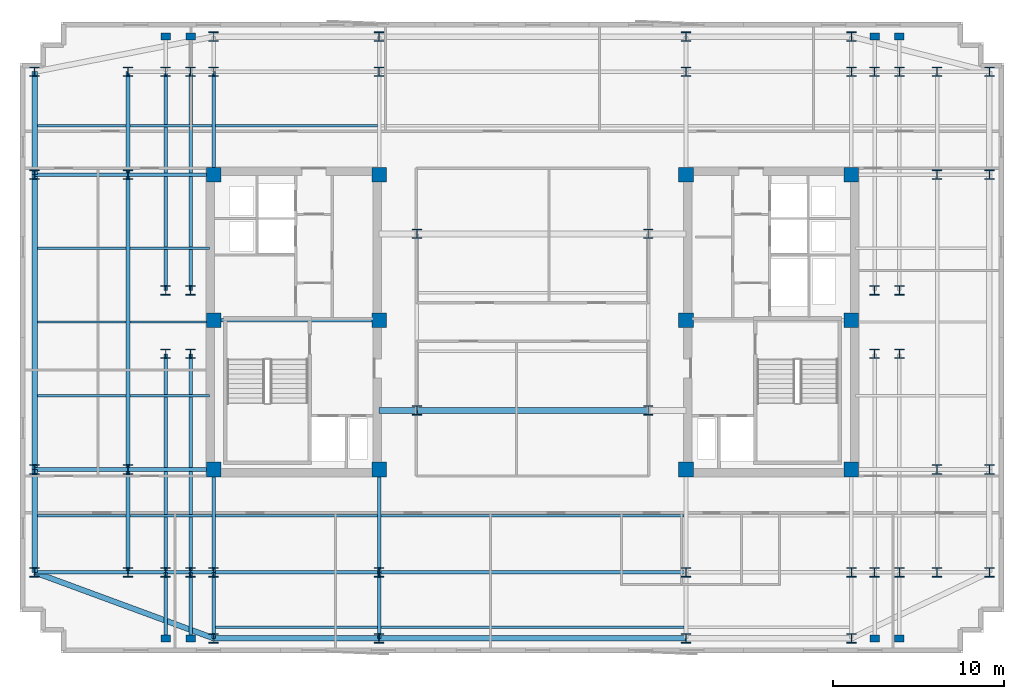
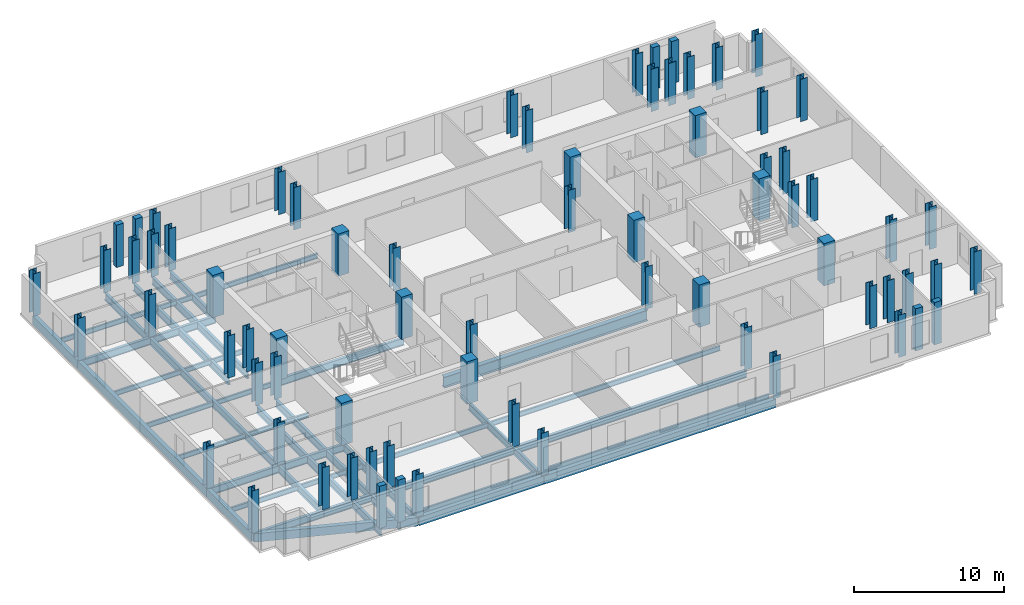
# One storey, part 1 of 9: 72 columns, 46 beams.
"""IFC4 building model written with IfcOpenShell, lengths in metres."""

from ifc_helpers import new_model, si_unit, direction, frame, origin, origin_2d, place, context, subcontext, project, spatial, rectangle, i_section, extrude, material, material_profile, profile_set, type_object, element, save


model = new_model("IFC4")

# Units and contexts
model_context = context("Model", 3, precision=1e-05, world=origin(), true_north=direction((0.0, 1.0)))
body_context = subcontext(model_context, "Body", "Model", "MODEL_VIEW")
ifc_project = project(units=[si_unit("LENGTHUNIT", "METRE"), si_unit("AREAUNIT", "SQUARE_METRE"), si_unit("VOLUMEUNIT", "CUBIC_METRE"), si_unit("PLANEANGLEUNIT", "RADIAN"), si_unit("MASSUNIT", "GRAM", prefix="KILO")], contexts=[model_context])

# Site, building, storey
site_placement = place(None, origin())
site = spatial("IfcSite", under=ifc_project, at=site_placement, CompositionType="ELEMENT")
building_placement = place(site_placement, origin())
building = spatial("IfcBuilding", under=site, at=building_placement, Name="Velakula Bourse", CompositionType="ELEMENT")
storey_placement = place(building_placement, frame((0.0, 0.0, 225.75)))
storey = spatial("IfcBuildingStorey", under=building, at=storey_placement, Name="L61", CompositionType="ELEMENT", Elevation=225.75)

# Columns
ifc_material_1 = material(Name="Concrete M50 (fck 50 MPa)", Category="concrete")
ifc_material_profile_1 = material_profile(ifc_material_1, rectangle(XDim=0.85009765625, YDim=0.85009765625, at=origin_2d()), Name="Concrete M50 (fck 50 MPa)")
ifc_profile_set_1 = profile_set([ifc_material_profile_1], Name="Concrete M50 (fck 50 MPa)")
column_type_1 = type_object("IfcColumnType", Name="COL-RC-850", PredefinedType="COLUMN", material=ifc_profile_set_1)
for number, where, z_axis, x_axis, name in (
    (1, (-8.949951171875, -8.60009765625, 0.0), (0.0, 0.0, 1.0), (1.0, 0.0, 0.0), "L61 Core Boundary Column 01"),
    (2, (-8.949951171875, 0.10009765625, 0.0), (0.0, 0.0, 1.0), (1.0, 0.0, 0.0), "L61 Core Boundary Column 02"),
    (3, (-8.949951171875, 8.60009765625, 0.0), (0.0, 0.0, 1.0), (1.0, 0.0, 0.0), "L61 Core Boundary Column 03"),
    (4, (-18.60009765625, -8.60009765625, 0.0), (0.0, 0.0, 1.0), (1.0, 0.0, 0.0), "L61 Core Boundary Column 04"),
    (5, (-18.60009765625, 0.10009765625, 0.0), (0.0, 0.0, 1.0), (1.0, 0.0, 0.0), "L61 Core Boundary Column 05"),
    (6, (-18.60009765625, 8.60009765625, 0.0), (0.0, 0.0, 1.0), (1.0, 0.0, 0.0), "L61 Core Boundary Column 06"),
    (7, (8.949951171875, -8.60009765625, 0.0), (0.0, 0.0, 1.0), (1.0, 0.0, 0.0), "L61 Core Boundary Column 07"),
    (8, (8.949951171875, 0.10009765625, 0.0), (0.0, 0.0, 1.0), (1.0, 0.0, 0.0), "L61 Core Boundary Column 08"),
    (9, (8.949951171875, 8.60009765625, 0.0), (0.0, 0.0, 1.0), (1.0, 0.0, 0.0), "L61 Core Boundary Column 09"),
    (10, (18.60009765625, -8.60009765625, 0.0), (0.0, 0.0, 1.0), (1.0, 0.0, 0.0), "L61 Core Boundary Column 10"),
    (11, (18.60009765625, 0.10009765625, 0.0), (0.0, 0.0, 1.0), (1.0, 0.0, 0.0), "L61 Core Boundary Column 11"),
    (12, (18.60009765625, 8.60009765625, 0.0), (0.0, 0.0, 1.0), (1.0, 0.0, 0.0), "L61 Core Boundary Column 12"),
):
    element("IfcColumn", number, at=place(storey_placement, frame(where, z_axis=z_axis, x_axis=x_axis)), inside=storey, type_object=column_type_1, Name=name, PredefinedType="COLUMN", context=body_context, shape_type="SweptSolid", body=[
        extrude(rectangle(XDim=0.85009765625, YDim=0.85009765625, at=origin_2d()), origin(), (0.0, 0.0, 1.0), 3.449951171875),
    ])
ifc_material_2 = material(Name="Steel IS 2062 Grade 350 (E350)", Category="steel")
ifc_material_profile_2 = material_profile(ifc_material_2, i_section(OverallWidth=0.550048828125, OverallDepth=0.550048828125, WebThickness=0.02392578125, FlangeThickness=0.035888671875, at=origin_2d()), Name="Steel IS 2062 Grade 350 (E350)")
ifc_profile_set_2 = profile_set([ifc_material_profile_2], Name="Steel IS 2062 Grade 350 (E350)")
column_type_2 = type_object("IfcColumnType", Name="COL-STL-550", PredefinedType="COLUMN", material=ifc_profile_set_2)
for number, where, z_axis, x_axis, name in (
    (13, (-6.75, -5.14990234375, 0.0), (0.0, 0.0, 1.0), (1.0, 0.0, 0.0), "L61 Central Spine Column 01"),
    (14, (-6.75, 5.14990234375, 0.0), (0.0, 0.0, 1.0), (1.0, 0.0, 0.0), "L61 Central Spine Column 02"),
    (15, (6.75, -5.14990234375, 0.0), (0.0, 0.0, 1.0), (1.0, 0.0, 0.0), "L61 Central Spine Column 03"),
    (16, (6.75, 5.14990234375, 0.0), (0.0, 0.0, 1.0), (1.0, 0.0, 0.0), "L61 Central Spine Column 04"),
    (17, (-21.39990234375, -14.60009765625, 0.0), (0.0, 0.0, 1.0), (1.0, 0.0, 0.0), "L61 Tower Fulcrum Column 01"),
    (18, (-21.39990234375, 14.60009765625, 0.0), (0.0, 0.0, 1.0), (1.0, 0.0, 0.0), "L61 Tower Fulcrum Column 02"),
    (19, (-19.949951171875, -14.60009765625, 0.0), (0.0, 0.0, 1.0), (1.0, 0.0, 0.0), "L61 Tower Fulcrum Column 03"),
    (20, (-19.949951171875, 14.60009765625, 0.0), (0.0, 0.0, 1.0), (1.0, 0.0, 0.0), "L61 Tower Fulcrum Column 04"),
    (21, (-18.60009765625, -14.60009765625, 0.0), (0.0, 0.0, 1.0), (1.0, 0.0, 0.0), "L61 Tower Fulcrum Column 05"),
    (22, (-18.60009765625, 14.60009765625, 0.0), (0.0, 0.0, 1.0), (1.0, 0.0, 0.0), "L61 Tower Fulcrum Column 06"),
    (23, (-8.949951171875, -14.60009765625, 0.0), (0.0, 0.0, 1.0), (1.0, 0.0, 0.0), "L61 Tower Fulcrum Column 07"),
    (24, (-8.949951171875, 14.60009765625, 0.0), (0.0, 0.0, 1.0), (1.0, 0.0, 0.0), "L61 Tower Fulcrum Column 08"),
    (25, (8.949951171875, -14.60009765625, 0.0), (0.0, 0.0, 1.0), (1.0, 0.0, 0.0), "L61 Tower Fulcrum Column 09"),
    (26, (8.949951171875, 14.60009765625, 0.0), (0.0, 0.0, 1.0), (1.0, 0.0, 0.0), "L61 Tower Fulcrum Column 10"),
    (27, (18.60009765625, -14.60009765625, 0.0), (0.0, 0.0, 1.0), (1.0, 0.0, 0.0), "L61 Tower Fulcrum Column 11"),
    (28, (18.60009765625, 14.60009765625, 0.0), (0.0, 0.0, 1.0), (1.0, 0.0, 0.0), "L61 Tower Fulcrum Column 12"),
    (29, (19.949951171875, -14.60009765625, 0.0), (0.0, 0.0, 1.0), (1.0, 0.0, 0.0), "L61 Tower Fulcrum Column 13"),
    (30, (19.949951171875, 14.60009765625, 0.0), (0.0, 0.0, 1.0), (1.0, 0.0, 0.0), "L61 Tower Fulcrum Column 14"),
    (31, (21.39990234375, -14.60009765625, 0.0), (0.0, 0.0, 1.0), (1.0, 0.0, 0.0), "L61 Tower Fulcrum Column 15"),
    (32, (21.39990234375, 14.60009765625, 0.0), (0.0, 0.0, 1.0), (1.0, 0.0, 0.0), "L61 Tower Fulcrum Column 16"),
    (33, (-21.39990234375, -1.85009765625, 0.0), (0.0, 0.0, 1.0), (1.0, 0.0, 0.0), "L61 Tower Fulcrum Column 17"),
    (34, (-21.39990234375, 1.85009765625, 0.0), (0.0, 0.0, 1.0), (1.0, 0.0, 0.0), "L61 Tower Fulcrum Column 18"),
    (35, (-19.949951171875, -1.85009765625, 0.0), (0.0, 0.0, 1.0), (1.0, 0.0, 0.0), "L61 Tower Fulcrum Column 19"),
    (36, (-19.949951171875, 1.85009765625, 0.0), (0.0, 0.0, 1.0), (1.0, 0.0, 0.0), "L61 Tower Fulcrum Column 20"),
    (37, (19.949951171875, -1.85009765625, 0.0), (0.0, 0.0, 1.0), (1.0, 0.0, 0.0), "L61 Tower Fulcrum Column 21"),
    (38, (19.949951171875, 1.85009765625, 0.0), (0.0, 0.0, 1.0), (1.0, 0.0, 0.0), "L61 Tower Fulcrum Column 22"),
    (39, (21.39990234375, -1.85009765625, 0.0), (0.0, 0.0, 1.0), (1.0, 0.0, 0.0), "L61 Tower Fulcrum Column 23"),
    (40, (21.39990234375, 1.85009765625, 0.0), (0.0, 0.0, 1.0), (1.0, 0.0, 0.0), "L61 Tower Fulcrum Column 24"),
    (41, (-23.60009765625, -14.60009765625, 0.0), (0.0, 0.0, 1.0), (1.0, 0.0, 0.0), "L61 Mid-Wing Plumb Column 01"),
    (42, (-23.60009765625, -8.60009765625, 0.0), (0.0, 0.0, 1.0), (1.0, 0.0, 0.0), "L61 Mid-Wing Plumb Column 02"),
    (43, (-23.60009765625, 8.60009765625, 0.0), (0.0, 0.0, 1.0), (1.0, 0.0, 0.0), "L61 Mid-Wing Plumb Column 03"),
    (44, (-23.60009765625, 14.60009765625, 0.0), (0.0, 0.0, 1.0), (1.0, 0.0, 0.0), "L61 Mid-Wing Plumb Column 04"),
    (45, (23.60009765625, -14.60009765625, 0.0), (0.0, 0.0, 1.0), (1.0, 0.0, 0.0), "L61 Mid-Wing Plumb Column 05"),
    (46, (23.60009765625, -8.60009765625, 0.0), (0.0, 0.0, 1.0), (1.0, 0.0, 0.0), "L61 Mid-Wing Plumb Column 06"),
    (47, (23.60009765625, 8.60009765625, 0.0), (0.0, 0.0, 1.0), (1.0, 0.0, 0.0), "L61 Mid-Wing Plumb Column 07"),
    (48, (23.60009765625, 14.60009765625, 0.0), (0.0, 0.0, 1.0), (1.0, 0.0, 0.0), "L61 Mid-Wing Plumb Column 08"),
    (49, (-18.60009765625, -18.449951171875, 0.0), (0.0, 0.0, 1.0), (1.0, 0.0, 0.0), "L61 Block B5 Perimeter Column S1"),
    (50, (-8.949951171875, -18.449951171875, 0.0), (0.0, 0.0, 1.0), (1.0, 0.0, 0.0), "L61 Block B5 Perimeter Column S2"),
    (51, (8.949951171875, -18.449951171875, 0.0), (0.0, 0.0, 1.0), (1.0, 0.0, 0.0), "L61 Block B5 Perimeter Column S3"),
    (52, (18.60009765625, -18.449951171875, 0.0), (0.0, 0.0, 1.0), (1.0, 0.0, 0.0), "L61 Block B5 Perimeter Column S4"),
    (53, (-18.60009765625, 16.64990234375, 0.0), (0.0, 0.0, 1.0), (1.0, 0.0, 0.0), "L61 Block B5 Perimeter Column N1"),
    (54, (-8.949951171875, 16.64990234375, 0.0), (0.0, 0.0, 1.0), (1.0, 0.0, 0.0), "L61 Block B5 Perimeter Column N2"),
    (55, (8.949951171875, 16.64990234375, 0.0), (0.0, 0.0, 1.0), (1.0, 0.0, 0.0), "L61 Block B5 Perimeter Column N3"),
    (56, (18.60009765625, 16.64990234375, 0.0), (0.0, 0.0, 1.0), (1.0, 0.0, 0.0), "L61 Block B5 Perimeter Column N4"),
    (57, (-29.050048828125, -14.60009765625, 0.0), (0.0, 0.0, 1.0), (1.0, 0.0, 0.0), "L61 Block B5 Perimeter Column W1"),
    (58, (-29.050048828125, -8.60009765625, 0.0), (0.0, 0.0, 1.0), (1.0, 0.0, 0.0), "L61 Block B5 Perimeter Column W2"),
    (59, (-29.050048828125, 8.60009765625, 0.0), (0.0, 0.0, 1.0), (1.0, 0.0, 0.0), "L61 Block B5 Perimeter Column W3"),
    (60, (-29.050048828125, 14.60009765625, 0.0), (0.0, 0.0, 1.0), (1.0, 0.0, 0.0), "L61 Block B5 Perimeter Column W4"),
    (61, (26.64990234375, -14.60009765625, 0.0), (0.0, 0.0, 1.0), (1.0, 0.0, 0.0), "L61 Block B5 Perimeter Column E1"),
    (62, (26.64990234375, -8.60009765625, 0.0), (0.0, 0.0, 1.0), (1.0, 0.0, 0.0), "L61 Block B5 Perimeter Column E2"),
    (63, (26.64990234375, 8.60009765625, 0.0), (0.0, 0.0, 1.0), (1.0, 0.0, 0.0), "L61 Block B5 Perimeter Column E3"),
    (64, (26.64990234375, 14.60009765625, 0.0), (0.0, 0.0, 1.0), (1.0, 0.0, 0.0), "L61 Block B5 Perimeter Column E4"),
):
    element("IfcColumn", number, at=place(storey_placement, frame(where, z_axis=z_axis, x_axis=x_axis)), inside=storey, type_object=column_type_2, Name=name, PredefinedType="COLUMN", context=body_context, shape_type="SweptSolid", body=[
        extrude(i_section(OverallWidth=0.550048828125, OverallDepth=0.550048828125, WebThickness=0.02392578125, FlangeThickness=0.035888671875, at=origin_2d()), origin(), (0.0, 0.0, 1.0), 3.449951171875),
    ])
ifc_material_3 = material(Name="Precast concrete M45 (fck 45 MPa)", Category="concrete")
ifc_material_profile_3 = material_profile(ifc_material_3, rectangle(XDim=0.550048828125, YDim=0.39990234375, at=origin_2d()), Name="Precast concrete M45 (fck 45 MPa)")
ifc_profile_set_3 = profile_set([ifc_material_profile_3], Name="Precast concrete M45 (fck 45 MPa)")
column_type_3 = type_object("IfcColumnType", Name="PIL-BRICK-550", PredefinedType="PILASTER", material=ifc_profile_set_3)
for number, where, z_axis, x_axis, name in (
    (65, (-21.39990234375, -18.449951171875, 0.0), (0.0, 0.0, 1.0), (1.0, 0.0, 0.0), "L61 Brick Pier Pilaster 01"),
    (66, (-19.949951171875, -18.449951171875, 0.0), (0.0, 0.0, 1.0), (1.0, 0.0, 0.0), "L61 Brick Pier Pilaster 02"),
    (67, (19.949951171875, -18.449951171875, 0.0), (0.0, 0.0, 1.0), (1.0, 0.0, 0.0), "L61 Brick Pier Pilaster 03"),
    (68, (21.39990234375, -18.449951171875, 0.0), (0.0, 0.0, 1.0), (1.0, 0.0, 0.0), "L61 Brick Pier Pilaster 04"),
    (69, (-21.39990234375, 16.64990234375, 0.0), (0.0, 0.0, 1.0), (1.0, 0.0, 0.0), "L61 Brick Pier Pilaster 05"),
    (70, (-19.949951171875, 16.64990234375, 0.0), (0.0, 0.0, 1.0), (1.0, 0.0, 0.0), "L61 Brick Pier Pilaster 06"),
    (71, (19.949951171875, 16.64990234375, 0.0), (0.0, 0.0, 1.0), (1.0, 0.0, 0.0), "L61 Brick Pier Pilaster 07"),
    (72, (21.39990234375, 16.64990234375, 0.0), (0.0, 0.0, 1.0), (1.0, 0.0, 0.0), "L61 Brick Pier Pilaster 08"),
):
    element("IfcColumn", number, at=place(storey_placement, frame(where, z_axis=z_axis, x_axis=x_axis)), inside=storey, type_object=column_type_3, Name=name, PredefinedType="PILASTER", context=body_context, shape_type="SweptSolid", body=[
        extrude(rectangle(XDim=0.550048828125, YDim=0.39990234375, at=origin_2d()), origin(), (0.0, 0.0, 1.0), 3.449951171875),
    ])

# Beams
ifc_material_profile_4 = material_profile(ifc_material_2, i_section(OverallWidth=0.2099609375, OverallDepth=0.60009765625, WebThickness=0.011962890625, FlangeThickness=0.020751953125, at=origin_2d()), Name="Steel IS 2062 Grade 350 (E350)")
ifc_profile_set_4 = profile_set([ifc_material_profile_4], Name="Steel IS 2062 Grade 350 (E350)")
beam_type_1 = type_object("IfcBeamType", Name="BM-GRD-600L", PredefinedType="BEAM", material=ifc_profile_set_4)
beam_1_placement = place(storey_placement, frame((-18.60009765625, 0.10009765625, -0.47998046875), z_axis=(1.0, 0.0, 0.0), x_axis=(0.0, 1.0, 0.0)))
element("IfcBeam", 73, at=beam_1_placement, inside=storey, type_object=beam_type_1, Name="L61 Primary Backbone Girder CRW-M", PredefinedType="BEAM", context=body_context, shape_type="SweptSolid", body=[
    extrude(i_section(OverallWidth=0.2099609375, OverallDepth=0.60009765625, WebThickness=0.011962890625, FlangeThickness=0.020751953125, at=origin_2d()), origin(), (0.0, 0.0, 1.0), 9.650146484375),
])
for number, where, z_axis, x_axis, name in (
    (74, (-18.60009765625, -14.60009765625, -0.47998046875), (0.0, 1.0, 0.0), (-1.0, 0.0, 0.0), "L61 Fulcrum Grid Girder FLC-WS"),
    (75, (-18.60009765625, 8.60009765625, -0.47998046875), (0.0, 1.0, 0.0), (-1.0, 0.0, 0.0), "L61 Fulcrum Grid Girder FLC-WN"),
    (76, (-8.949951171875, -14.60009765625, -0.47998046875), (0.0, 1.0, 0.0), (-1.0, 0.0, 0.0), "L61 Fulcrum Grid Girder FLC-WCS"),
):
    element("IfcBeam", number, at=place(storey_placement, frame(where, z_axis=z_axis, x_axis=x_axis)), inside=storey, type_object=beam_type_1, Name=name, PredefinedType="BEAM", context=body_context, shape_type="SweptSolid", body=[
        extrude(i_section(OverallWidth=0.2099609375, OverallDepth=0.60009765625, WebThickness=0.011962890625, FlangeThickness=0.020751953125, at=origin_2d()), origin(), (0.0, 0.0, 1.0), 6.0),
    ])
beam_2_placement = place(storey_placement, frame((-18.60009765625, -14.60009765625, -0.47998046875), z_axis=(1.0, 0.0, 0.0), x_axis=(0.0, 1.0, 0.0)))
element("IfcBeam", 77, at=beam_2_placement, inside=storey, type_object=beam_type_1, Name="L61 Fulcrum Grid Girder FLC-S1", PredefinedType="BEAM", context=body_context, shape_type="SweptSolid", body=[
    extrude(i_section(OverallWidth=0.2099609375, OverallDepth=0.60009765625, WebThickness=0.011962890625, FlangeThickness=0.020751953125, at=origin_2d()), origin(), (0.0, 0.0, 1.0), 9.650146484375),
])
beam_3_placement = place(storey_placement, frame((-8.949951171875, -14.60009765625, -0.47998046875), z_axis=(1.0, 0.0, 0.0), x_axis=(0.0, 1.0, 0.0)))
element("IfcBeam", 78, at=beam_3_placement, inside=storey, type_object=beam_type_1, Name="L61 Fulcrum Grid Girder FLC-S2", PredefinedType="BEAM", context=body_context, shape_type="SweptSolid", body=[
    extrude(i_section(OverallWidth=0.2099609375, OverallDepth=0.60009765625, WebThickness=0.011962890625, FlangeThickness=0.020751953125, at=origin_2d()), origin(), (0.0, 0.0, 1.0), 17.89990234375),
])
for number, where, z_axis, x_axis, name in (
    (79, (-21.39990234375, -14.60009765625, -0.47998046875), (0.0, 1.0, 0.0), (-1.0, 0.0, 0.0), "L61 Fulcrum Grid Girder FLC-PSW1"),
    (80, (-21.39990234375, 1.85009765625, -0.47998046875), (0.0, 1.0, 0.0), (-1.0, 0.0, 0.0), "L61 Fulcrum Grid Girder FLC-PNW1"),
    (81, (-19.949951171875, -14.60009765625, -0.47998046875), (0.0, 1.0, 0.0), (-1.0, 0.0, 0.0), "L61 Fulcrum Grid Girder FLC-PSW2"),
    (82, (-19.949951171875, 1.85009765625, -0.47998046875), (0.0, 1.0, 0.0), (-1.0, 0.0, 0.0), "L61 Fulcrum Grid Girder FLC-PNW2"),
):
    element("IfcBeam", number, at=place(storey_placement, frame(where, z_axis=z_axis, x_axis=x_axis)), inside=storey, type_object=beam_type_1, Name=name, PredefinedType="BEAM", context=body_context, shape_type="SweptSolid", body=[
        extrude(i_section(OverallWidth=0.2099609375, OverallDepth=0.60009765625, WebThickness=0.011962890625, FlangeThickness=0.020751953125, at=origin_2d()), origin(), (0.0, 0.0, 1.0), 12.75),
    ])
for number, where, z_axis, x_axis, name in (
    (83, (-23.60009765625, -14.60009765625, -0.47998046875), (1.0, 0.0, 0.0), (0.0, 1.0, 0.0), "L61 Fulcrum Grid Girder MWG-WS1"),
    (84, (-23.60009765625, -8.60009765625, -0.47998046875), (1.0, 0.0, 0.0), (0.0, 1.0, 0.0), "L61 Fulcrum Grid Girder MWG-WS2"),
    (85, (-23.60009765625, 8.60009765625, -0.47998046875), (1.0, 0.0, 0.0), (0.0, 1.0, 0.0), "L61 Fulcrum Grid Girder MWG-WN1"),
):
    element("IfcBeam", number, at=place(storey_placement, frame(where, z_axis=z_axis, x_axis=x_axis)), inside=storey, type_object=beam_type_1, Name=name, PredefinedType="BEAM", context=body_context, shape_type="SweptSolid", body=[
        extrude(i_section(OverallWidth=0.2099609375, OverallDepth=0.60009765625, WebThickness=0.011962890625, FlangeThickness=0.020751953125, at=origin_2d()), origin(), (0.0, 0.0, 1.0), 5.0),
    ])
beam_4_placement = place(storey_placement, frame((-23.60009765625, -14.60009765625, -0.47998046875), z_axis=(0.0, 1.0, 0.0), x_axis=(-1.0, 0.0, 0.0)))
element("IfcBeam", 86, at=beam_4_placement, inside=storey, type_object=beam_type_1, Name="L61 Fulcrum Grid Girder MWG-WNS1", PredefinedType="BEAM", context=body_context, shape_type="SweptSolid", body=[
    extrude(i_section(OverallWidth=0.2099609375, OverallDepth=0.60009765625, WebThickness=0.011962890625, FlangeThickness=0.020751953125, at=origin_2d()), origin(), (0.0, 0.0, 1.0), 6.0),
])
beam_5_placement = place(storey_placement, frame((-23.60009765625, -8.60009765625, -0.47998046875), z_axis=(0.0, 1.0, 0.0), x_axis=(-1.0, 0.0, 0.0)))
element("IfcBeam", 87, at=beam_5_placement, inside=storey, type_object=beam_type_1, Name="L61 Fulcrum Grid Girder MWG-WNS2", PredefinedType="BEAM", context=body_context, shape_type="SweptSolid", body=[
    extrude(i_section(OverallWidth=0.2099609375, OverallDepth=0.60009765625, WebThickness=0.011962890625, FlangeThickness=0.020751953125, at=origin_2d()), origin(), (0.0, 0.0, 1.0), 17.2001953125),
])
beam_6_placement = place(storey_placement, frame((-23.60009765625, 8.60009765625, -0.47998046875), z_axis=(0.0, 1.0, 0.0), x_axis=(-1.0, 0.0, 0.0)))
element("IfcBeam", 88, at=beam_6_placement, inside=storey, type_object=beam_type_1, Name="L61 Fulcrum Grid Girder MWG-WNS3", PredefinedType="BEAM", context=body_context, shape_type="SweptSolid", body=[
    extrude(i_section(OverallWidth=0.2099609375, OverallDepth=0.60009765625, WebThickness=0.011962890625, FlangeThickness=0.020751953125, at=origin_2d()), origin(), (0.0, 0.0, 1.0), 6.0),
])
for number, where, z_axis, x_axis, name in (
    (89, (-18.60009765625, -14.60009765625, -0.47998046875), (0.0, -1.0, 0.0), (1.0, 0.0, 0.0), "L61 Perimeter Tie Girder S1"),
    (90, (-8.949951171875, -14.60009765625, -0.47998046875), (0.0, -1.0, 0.0), (1.0, 0.0, 0.0), "L61 Perimeter Tie Girder S2"),
):
    element("IfcBeam", number, at=place(storey_placement, frame(where, z_axis=z_axis, x_axis=x_axis)), inside=storey, type_object=beam_type_1, Name=name, PredefinedType="BEAM", context=body_context, shape_type="SweptSolid", body=[
        extrude(i_section(OverallWidth=0.2099609375, OverallDepth=0.60009765625, WebThickness=0.011962890625, FlangeThickness=0.020751953125, at=origin_2d()), origin(), (0.0, 0.0, 1.0), 3.849853515625),
    ])
for number, where, z_axis, x_axis, name in (
    (91, (-23.60009765625, -14.60009765625, -0.47998046875), (-1.0, 0.0, 0.0), (0.0, -1.0, 0.0), "L61 Perimeter Tie Girder W1"),
    (92, (-23.60009765625, -8.60009765625, -0.47998046875), (-1.0, 0.0, 0.0), (0.0, -1.0, 0.0), "L61 Perimeter Tie Girder W2"),
    (93, (-23.60009765625, 8.60009765625, -0.47998046875), (-1.0, 0.0, 0.0), (0.0, -1.0, 0.0), "L61 Perimeter Tie Girder W3"),
):
    element("IfcBeam", number, at=place(storey_placement, frame(where, z_axis=z_axis, x_axis=x_axis)), inside=storey, type_object=beam_type_1, Name=name, PredefinedType="BEAM", context=body_context, shape_type="SweptSolid", body=[
        extrude(i_section(OverallWidth=0.2099609375, OverallDepth=0.60009765625, WebThickness=0.011962890625, FlangeThickness=0.020751953125, at=origin_2d()), origin(), (0.0, 0.0, 1.0), 5.449951171875),
    ])
for number, where, z_axis, x_axis, name in (
    (94, (-21.39990234375, -14.60009765625, -0.47998046875), (0.0, -1.0, 0.0), (1.0, 0.0, 0.0), "L61 Perimeter Tie Girder P01"),
    (95, (-19.949951171875, -14.60009765625, -0.47998046875), (0.0, -1.0, 0.0), (1.0, 0.0, 0.0), "L61 Perimeter Tie Girder P02"),
):
    element("IfcBeam", number, at=place(storey_placement, frame(where, z_axis=z_axis, x_axis=x_axis)), inside=storey, type_object=beam_type_1, Name=name, PredefinedType="BEAM", context=body_context, shape_type="SweptSolid", body=[
        extrude(i_section(OverallWidth=0.2099609375, OverallDepth=0.60009765625, WebThickness=0.011962890625, FlangeThickness=0.020751953125, at=origin_2d()), origin(), (0.0, 0.0, 1.0), 3.849853515625),
    ])
ifc_material_profile_5 = material_profile(ifc_material_2, i_section(OverallWidth=0.35009765625, OverallDepth=0.89990234375, WebThickness=0.02001953125, FlangeThickness=0.031982421875, at=origin_2d()), Name="Steel IS 2062 Grade 350 (E350)")
ifc_profile_set_5 = profile_set([ifc_material_profile_5], Name="Steel IS 2062 Grade 350 (E350)")
beam_type_2 = type_object("IfcBeamType", Name="BM-LNK-900", PredefinedType="BEAM", material=ifc_profile_set_5)
beam_7_placement = place(storey_placement, frame((-8.949951171875, -5.14990234375, -0.6298828125), z_axis=(1.0, 0.0, 0.0), x_axis=(0.0, 1.0, 0.0)))
element("IfcBeam", 96, at=beam_7_placement, inside=storey, type_object=beam_type_2, Name="L61 Primary Backbone Girder LNK-S1", PredefinedType="BEAM", context=body_context, shape_type="SweptSolid", body=[
    extrude(i_section(OverallWidth=0.35009765625, OverallDepth=0.89990234375, WebThickness=0.02001953125, FlangeThickness=0.031982421875, at=origin_2d()), origin(), (0.0, 0.0, 1.0), 2.199951171875),
])
beam_8_placement = place(storey_placement, frame((-6.75, -5.14990234375, -0.6298828125), z_axis=(1.0, 0.0, 0.0), x_axis=(0.0, 1.0, 0.0)))
element("IfcBeam", 97, at=beam_8_placement, inside=storey, type_object=beam_type_2, Name="L61 Primary Backbone Girder LNK-S2", PredefinedType="BEAM", context=body_context, shape_type="SweptSolid", body=[
    extrude(i_section(OverallWidth=0.35009765625, OverallDepth=0.89990234375, WebThickness=0.02001953125, FlangeThickness=0.031982421875, at=origin_2d()), origin(), (0.0, 0.0, 1.0), 13.5),
])
ifc_material_profile_6 = material_profile(ifc_material_2, i_section(OverallWidth=0.139892578125, OverallDepth=0.39990234375, WebThickness=0.0087890625, FlangeThickness=0.01611328125, at=origin_2d()), Name="Steel IS 2062 Grade 350 (E350)")
ifc_profile_set_6 = profile_set([ifc_material_profile_6], Name="Steel IS 2062 Grade 350 (E350)")
beam_type_3 = type_object("IfcBeamType", Name="JST-TWR-400", PredefinedType="JOIST", material=ifc_profile_set_6)
beam_9_placement = place(storey_placement, frame((-18.4951171875, -17.800048828125, -0.3798828125), z_axis=(1.0, 0.0, 0.0), x_axis=(0.0, 1.0, 0.0)))
element("IfcBeam", 98, at=beam_9_placement, inside=storey, type_object=beam_type_3, Name="L61 Trading Floor Composite Joist 01", PredefinedType="JOIST", context=body_context, shape_type="SweptSolid", body=[
    extrude(i_section(OverallWidth=0.139892578125, OverallDepth=0.39990234375, WebThickness=0.0087890625, FlangeThickness=0.01611328125, at=origin_2d()), origin(), (0.0, 0.0, 1.0), 9.440185546875),
])
beam_10_placement = place(storey_placement, frame((-8.844970703125, -17.800048828125, -0.3798828125), z_axis=(1.0, 0.0, 0.0), x_axis=(0.0, 1.0, 0.0)))
element("IfcBeam", 99, at=beam_10_placement, inside=storey, type_object=beam_type_3, Name="L61 Trading Floor Composite Joist 02", PredefinedType="JOIST", context=body_context, shape_type="SweptSolid", body=[
    extrude(i_section(OverallWidth=0.139892578125, OverallDepth=0.39990234375, WebThickness=0.0087890625, FlangeThickness=0.01611328125, at=origin_2d()), origin(), (0.0, 0.0, 1.0), 17.68994140625),
])
beam_11_placement = place(storey_placement, frame((-28.889892578125, -11.300048828125, -0.3798828125), z_axis=(1.0, 0.0, 0.0), x_axis=(0.0, 1.0, 0.0)))
element("IfcBeam", 100, at=beam_11_placement, inside=storey, type_object=beam_type_3, Name="L61 Trading Floor Composite Joist 04", PredefinedType="JOIST", context=body_context, shape_type="SweptSolid", body=[
    extrude(i_section(OverallWidth=0.139892578125, OverallDepth=0.39990234375, WebThickness=0.0087890625, FlangeThickness=0.01611328125, at=origin_2d()), origin(), (0.0, 0.0, 1.0), 5.184814453125),
])
beam_12_placement = place(storey_placement, frame((-23.4951171875, -11.300048828125, -0.3798828125), z_axis=(1.0, 0.0, 0.0), x_axis=(0.0, 1.0, 0.0)))
element("IfcBeam", 101, at=beam_12_placement, inside=storey, type_object=beam_type_3, Name="L61 Trading Floor Composite Joist 05", PredefinedType="JOIST", context=body_context, shape_type="SweptSolid", body=[
    extrude(i_section(OverallWidth=0.139892578125, OverallDepth=0.39990234375, WebThickness=0.0087890625, FlangeThickness=0.01611328125, at=origin_2d()), origin(), (0.0, 0.0, 1.0), 4.7900390625),
])
beam_13_placement = place(storey_placement, frame((-18.4951171875, -11.300048828125, -0.3798828125), z_axis=(1.0, 0.0, 0.0), x_axis=(0.0, 1.0, 0.0)))
element("IfcBeam", 102, at=beam_13_placement, inside=storey, type_object=beam_type_3, Name="L61 Trading Floor Composite Joist 06", PredefinedType="JOIST", context=body_context, shape_type="SweptSolid", body=[
    extrude(i_section(OverallWidth=0.139892578125, OverallDepth=0.39990234375, WebThickness=0.0087890625, FlangeThickness=0.01611328125, at=origin_2d()), origin(), (0.0, 0.0, 1.0), 9.440185546875),
])
beam_14_placement = place(storey_placement, frame((-8.844970703125, -11.300048828125, -0.3798828125), z_axis=(1.0, 0.0, 0.0), x_axis=(0.0, 1.0, 0.0)))
element("IfcBeam", 103, at=beam_14_placement, inside=storey, type_object=beam_type_3, Name="L61 Trading Floor Composite Joist 07", PredefinedType="JOIST", context=body_context, shape_type="SweptSolid", body=[
    extrude(i_section(OverallWidth=0.139892578125, OverallDepth=0.39990234375, WebThickness=0.0087890625, FlangeThickness=0.01611328125, at=origin_2d()), origin(), (0.0, 0.0, 1.0), 17.68994140625),
])
beam_15_placement = place(storey_placement, frame((-28.889892578125, 11.449951171875, -0.3798828125), z_axis=(1.0, 0.0, 0.0), x_axis=(0.0, 1.0, 0.0)))
element("IfcBeam", 104, at=beam_15_placement, inside=storey, type_object=beam_type_3, Name="L61 Trading Floor Composite Joist 11", PredefinedType="JOIST", context=body_context, shape_type="SweptSolid", body=[
    extrude(i_section(OverallWidth=0.139892578125, OverallDepth=0.39990234375, WebThickness=0.0087890625, FlangeThickness=0.01611328125, at=origin_2d()), origin(), (0.0, 0.0, 1.0), 5.184814453125),
])
beam_16_placement = place(storey_placement, frame((-23.4951171875, 11.449951171875, -0.3798828125), z_axis=(1.0, 0.0, 0.0), x_axis=(0.0, 1.0, 0.0)))
element("IfcBeam", 105, at=beam_16_placement, inside=storey, type_object=beam_type_3, Name="L61 Trading Floor Composite Joist 12", PredefinedType="JOIST", context=body_context, shape_type="SweptSolid", body=[
    extrude(i_section(OverallWidth=0.139892578125, OverallDepth=0.39990234375, WebThickness=0.0087890625, FlangeThickness=0.01611328125, at=origin_2d()), origin(), (0.0, 0.0, 1.0), 4.7900390625),
])
beam_17_placement = place(storey_placement, frame((-18.4951171875, 11.449951171875, -0.3798828125), z_axis=(1.0, 0.0, 0.0), x_axis=(0.0, 1.0, 0.0)))
element("IfcBeam", 106, at=beam_17_placement, inside=storey, type_object=beam_type_3, Name="L61 Trading Floor Composite Joist 13", PredefinedType="JOIST", context=body_context, shape_type="SweptSolid", body=[
    extrude(i_section(OverallWidth=0.139892578125, OverallDepth=0.39990234375, WebThickness=0.0087890625, FlangeThickness=0.01611328125, at=origin_2d()), origin(), (0.0, 0.0, 1.0), 9.440185546875),
])
beam_18_placement = place(storey_placement, frame((-28.889892578125, -4.300048828125, -0.3798828125), z_axis=(1.0, 0.0, 0.0), x_axis=(0.0, 1.0, 0.0)))
element("IfcBeam", 107, at=beam_18_placement, inside=storey, type_object=beam_type_3, Name="L61 Trading Floor Composite Joist 20", PredefinedType="JOIST", context=body_context, shape_type="SweptSolid", body=[
    extrude(i_section(OverallWidth=0.139892578125, OverallDepth=0.39990234375, WebThickness=0.0087890625, FlangeThickness=0.01611328125, at=origin_2d()), origin(), (0.0, 0.0, 1.0), 5.184814453125),
])
beam_19_placement = place(storey_placement, frame((-23.4951171875, -4.300048828125, -0.3798828125), z_axis=(1.0, 0.0, 0.0), x_axis=(0.0, 1.0, 0.0)))
element("IfcBeam", 108, at=beam_19_placement, inside=storey, type_object=beam_type_3, Name="L61 Trading Floor Composite Joist 21", PredefinedType="JOIST", context=body_context, shape_type="SweptSolid", body=[
    extrude(i_section(OverallWidth=0.139892578125, OverallDepth=0.39990234375, WebThickness=0.0087890625, FlangeThickness=0.01611328125, at=origin_2d()), origin(), (0.0, 0.0, 1.0), 4.64501953125),
])
beam_20_placement = place(storey_placement, frame((-28.889892578125, 0.0, -0.3798828125), z_axis=(1.0, 0.0, 0.0), x_axis=(0.0, 1.0, 0.0)))
element("IfcBeam", 109, at=beam_20_placement, inside=storey, type_object=beam_type_3, Name="L61 Trading Floor Composite Joist 24", PredefinedType="JOIST", context=body_context, shape_type="SweptSolid", body=[
    extrude(i_section(OverallWidth=0.139892578125, OverallDepth=0.39990234375, WebThickness=0.0087890625, FlangeThickness=0.01611328125, at=origin_2d()), origin(), (0.0, 0.0, 1.0), 5.184814453125),
])
beam_21_placement = place(storey_placement, frame((-23.4951171875, 0.0, -0.3798828125), z_axis=(1.0, 0.0, 0.0), x_axis=(0.0, 1.0, 0.0)))
element("IfcBeam", 110, at=beam_21_placement, inside=storey, type_object=beam_type_3, Name="L61 Trading Floor Composite Joist 25", PredefinedType="JOIST", context=body_context, shape_type="SweptSolid", body=[
    extrude(i_section(OverallWidth=0.139892578125, OverallDepth=0.39990234375, WebThickness=0.0087890625, FlangeThickness=0.01611328125, at=origin_2d()), origin(), (0.0, 0.0, 1.0), 4.64501953125),
])
beam_22_placement = place(storey_placement, frame((-28.889892578125, 4.300048828125, -0.3798828125), z_axis=(1.0, 0.0, 0.0), x_axis=(0.0, 1.0, 0.0)))
element("IfcBeam", 111, at=beam_22_placement, inside=storey, type_object=beam_type_3, Name="L61 Trading Floor Composite Joist 28", PredefinedType="JOIST", context=body_context, shape_type="SweptSolid", body=[
    extrude(i_section(OverallWidth=0.139892578125, OverallDepth=0.39990234375, WebThickness=0.0087890625, FlangeThickness=0.01611328125, at=origin_2d()), origin(), (0.0, 0.0, 1.0), 5.184814453125),
])
beam_23_placement = place(storey_placement, frame((-23.4951171875, 4.300048828125, -0.3798828125), z_axis=(1.0, 0.0, 0.0), x_axis=(0.0, 1.0, 0.0)))
element("IfcBeam", 112, at=beam_23_placement, inside=storey, type_object=beam_type_3, Name="L61 Trading Floor Composite Joist 29", PredefinedType="JOIST", context=body_context, shape_type="SweptSolid", body=[
    extrude(i_section(OverallWidth=0.139892578125, OverallDepth=0.39990234375, WebThickness=0.0087890625, FlangeThickness=0.01611328125, at=origin_2d()), origin(), (0.0, 0.0, 1.0), 4.64501953125),
])
ifc_material_profile_7 = material_profile(ifc_material_3, rectangle(XDim=0.320068359375, YDim=0.679931640625, at=origin_2d()), Name="Precast concrete M45 (fck 45 MPa)")
ifc_profile_set_7 = profile_set([ifc_material_profile_7], Name="Precast concrete M45 (fck 45 MPa)")
beam_type_4 = type_object("IfcBeamType", Name="SPN-BRICK-680", PredefinedType="SPANDREL", material=ifc_profile_set_7)
beam_24_placement = place(storey_placement, frame((-18.60009765625, -18.449951171875, -0.52001953125), z_axis=(1.0, 0.0, 0.0), x_axis=(0.0, 1.0, 0.0)))
element("IfcBeam", 113, at=beam_24_placement, inside=storey, type_object=beam_type_4, Name="L61 Brick-Faced Precast Spandrel S1-S2", PredefinedType="SPANDREL", context=body_context, shape_type="SweptSolid", body=[
    extrude(rectangle(XDim=0.320068359375, YDim=0.679931640625, at=origin_2d()), origin(), (0.0, 0.0, 1.0), 9.650146484375),
])
beam_25_placement = place(storey_placement, frame((-8.949951171875, -18.449951171875, -0.52001953125), z_axis=(1.0, 0.0, 0.0), x_axis=(0.0, 1.0, 0.0)))
element("IfcBeam", 114, at=beam_25_placement, inside=storey, type_object=beam_type_4, Name="L61 Brick-Faced Precast Spandrel S2-S3", PredefinedType="SPANDREL", context=body_context, shape_type="SweptSolid", body=[
    extrude(rectangle(XDim=0.320068359375, YDim=0.679931640625, at=origin_2d()), origin(), (0.0, 0.0, 1.0), 17.89990234375),
])
beam_26_placement = place(storey_placement, frame((-29.050048828125, -14.60009765625, -0.52001953125), z_axis=(0.0, 1.0, 0.0), x_axis=(-1.0, 0.0, 0.0)))
element("IfcBeam", 115, at=beam_26_placement, inside=storey, type_object=beam_type_4, Name="L61 Brick-Faced Precast Spandrel W1-W2", PredefinedType="SPANDREL", context=body_context, shape_type="SweptSolid", body=[
    extrude(rectangle(XDim=0.320068359375, YDim=0.679931640625, at=origin_2d()), origin(), (0.0, 0.0, 1.0), 6.0),
])
beam_27_placement = place(storey_placement, frame((-29.050048828125, -8.60009765625, -0.52001953125), z_axis=(0.0, 1.0, 0.0), x_axis=(-1.0, 0.0, 0.0)))
element("IfcBeam", 116, at=beam_27_placement, inside=storey, type_object=beam_type_4, Name="L61 Brick-Faced Precast Spandrel W2-W3", PredefinedType="SPANDREL", context=body_context, shape_type="SweptSolid", body=[
    extrude(rectangle(XDim=0.320068359375, YDim=0.679931640625, at=origin_2d()), origin(), (0.0, 0.0, 1.0), 17.2001953125),
])
beam_28_placement = place(storey_placement, frame((-29.050048828125, 8.60009765625, -0.52001953125), z_axis=(0.0, 1.0, 0.0), x_axis=(-1.0, 0.0, 0.0)))
element("IfcBeam", 117, at=beam_28_placement, inside=storey, type_object=beam_type_4, Name="L61 Brick-Faced Precast Spandrel W3-W4", PredefinedType="SPANDREL", context=body_context, shape_type="SweptSolid", body=[
    extrude(rectangle(XDim=0.320068359375, YDim=0.679931640625, at=origin_2d()), origin(), (0.0, 0.0, 1.0), 6.0),
])
beam_29_placement = place(storey_placement, frame((-29.050048828125, -14.60009765625, -0.52001953125), z_axis=(0.93834685962, -0.34569519962, 0.0), x_axis=(0.34569519962, 0.93834685962, 0.0)))
element("IfcBeam", 118, at=beam_29_placement, inside=storey, type_object=beam_type_4, Name="L61 Brick-Faced Precast Spandrel W1-S1", PredefinedType="SPANDREL", context=body_context, shape_type="SweptSolid", body=[
    extrude(rectangle(XDim=0.320068359375, YDim=0.679931640625, at=origin_2d()), origin(), (0.0, 0.0, 1.0), 11.136474609375),
])

save(model, "model.ifc")
